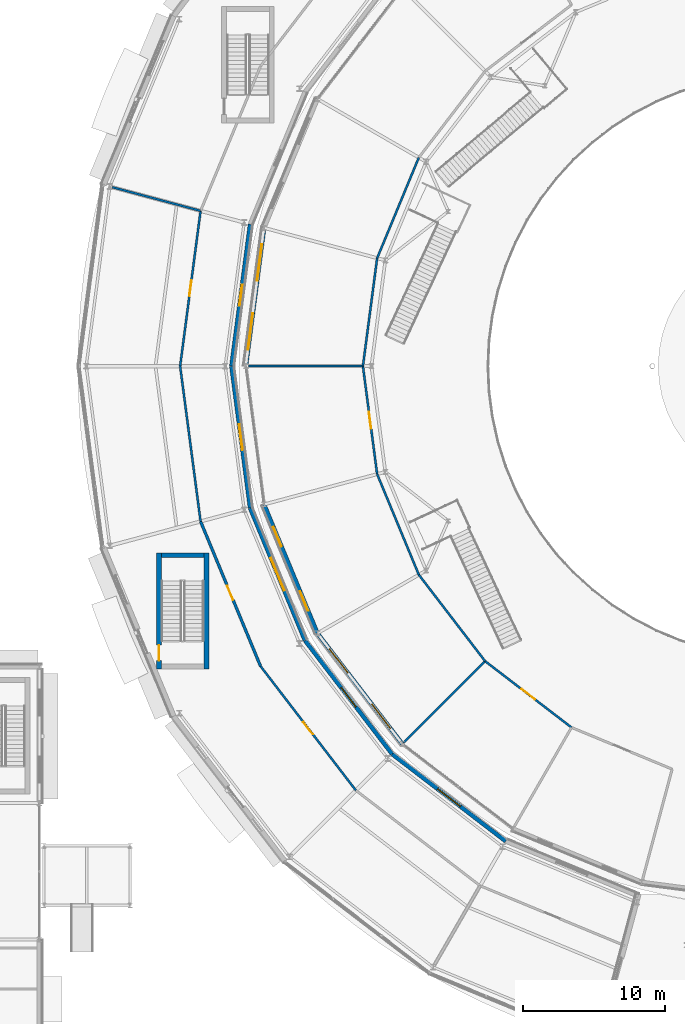
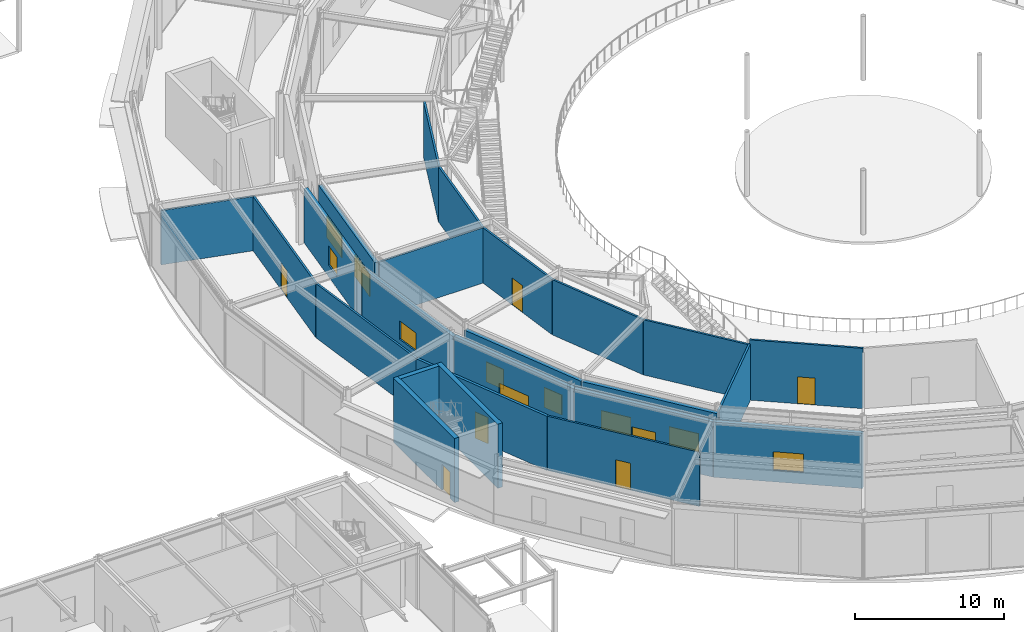
# One storey, part 119 of 168: 24 walls, 11 windows, 6 doors, 17 openings.
"""IFC4 building model written with IfcOpenShell, lengths in metres."""

from ifc_helpers import new_model, si_unit, direction, frame, frame_2d, origin, place, context, subcontext, project, spatial, rectangle, extrude, material, layer, layer_set, type_object, element, fill, save


model = new_model("IFC4")

# Units and contexts
model_context = context("Model", 3, precision=1e-05, world=origin(), true_north=direction((0.0, 1.0)))
body_context = subcontext(model_context, "Body", "Model", "MODEL_VIEW")
ifc_project = project(units=[si_unit("LENGTHUNIT", "METRE"), si_unit("AREAUNIT", "SQUARE_METRE"), si_unit("VOLUMEUNIT", "CUBIC_METRE"), si_unit("PLANEANGLEUNIT", "RADIAN"), si_unit("MASSUNIT", "GRAM", prefix="KILO")], contexts=[model_context])

# Site, building, storey
site_placement = place(None, origin())
site = spatial("IfcSite", under=ifc_project, at=site_placement, CompositionType="ELEMENT")
building_placement = place(site_placement, origin())
building = spatial("IfcBuilding", under=site, at=building_placement, Name="Almandine Court Research Institute", CompositionType="ELEMENT")
storey_placement = place(building_placement, origin())
storey = spatial("IfcBuildingStorey", under=building, at=storey_placement, Name="L00", CompositionType="ELEMENT", Elevation=0.0)

# Wall, opening, window
ifc_material_1 = material(Name="Insulated Ochre Terracotta Rainscreen Wall", Category="masonry")
ifc_layer_1 = layer(ifc_material_1, 0.2900390625)
ifc_layer_set_1 = layer_set([ifc_layer_1], Name="Insulated Ochre Terracotta Rainscreen Wall")
wall_type_1 = type_object("IfcWallType", Name="Wall-EXT-TERR-290", PredefinedType="SOLIDWALL", material=ifc_layer_set_1)
wall_1_placement = place(storey_placement, frame((49.656005859375, 66.0, 0.0), z_axis=(0.0, 0.0, 1.0), x_axis=(-0.130450126879, -0.991454872597, 0.0)))
wall_1 = element("IfcWall", 1, at=wall_1_placement, inside=storey, type_object=wall_type_1, Name="L00 Drum Inner Gallery Wall 11", PredefinedType="SOLIDWALL", context=body_context, shape_type="SweptSolid", body=[
    extrude(rectangle(XDim=10.080078125, YDim=0.2900390625, at=frame_2d((5.0400390625, 0.0))), origin(), (0.0, 0.0, 1.0), 4.43310546875),
])
opening_1_placement = place(wall_1_placement, frame((4.294921875, 0.0, 0.949951171875)))
opening_1 = element("IfcOpeningElement", 2, at=opening_1_placement, cuts=wall_1, Name="Opening WN-38", PredefinedType="OPENING", context=body_context, shape_type="SweptSolid", body=[
    extrude(rectangle(XDim=1.489990234375, YDim=1.590087890625, at=frame_2d((0.7451171875, 0.794921875))), frame((0.0, 0.155029296875, 0.0), z_axis=(0.0, -1.0, 0.0), x_axis=(1.0, 0.0, 0.0)), (0.0, 0.0, 1.0), 0.31005859375),
])
ifc_material_2 = material(Name="Thermally Broken Low-E Double-Glazed Window", Category="glass")
window_type_1 = type_object("IfcWindowType", Name="Win-WN-38-1490x1590", PartitioningType="SINGLE_PANEL", PredefinedType="WINDOW", material=ifc_material_2)
window_1_placement = place(opening_1_placement, origin())
window_1 = element("IfcWindow", 3, at=window_1_placement, inside=storey, type_object=window_type_1, Name="L00 Modular Recessed Low-E Window 230", OverallHeight=1.590087890625, OverallWidth=1.489990234375, PartitioningType="SINGLE_PANEL", PredefinedType="WINDOW", context=body_context, shape_type="SweptSolid", body=[
    extrude(rectangle(XDim=1.489990234375, YDim=1.590087890625, at=frame_2d((0.7451171875, 0.794921875))), frame((0.0, 0.030029296875, 0.0), z_axis=(0.0, -1.0, 0.0), x_axis=(1.0, 0.0, 0.0)), (0.0, 0.0, 1.0), 0.06005859375),
])
fill(opening_1, window_1)

wall_2_placement = place(storey_placement, frame((48.341064453125, 55.993896484375, 0.0), z_axis=(0.0, 0.0, 1.0), x_axis=(0.130450126879, -0.991454872597, 0.0)))
wall_2 = element("IfcWall", 4, at=wall_2_placement, inside=storey, type_object=wall_type_1, Name="L00 Drum Inner Gallery Wall 12", PredefinedType="SOLIDWALL", context=body_context, shape_type="SweptSolid", body=[
    extrude(rectangle(XDim=10.080078125, YDim=0.2900390625, at=frame_2d((5.0400390625, 0.0))), origin(), (0.0, 0.0, 1.0), 4.43310546875),
])
opening_2_placement = place(wall_2_placement, frame((4.1298828125, 0.0, 0.949951171875)))
opening_2 = element("IfcOpeningElement", 5, at=opening_2_placement, cuts=wall_2, Name="Opening WN-39", PredefinedType="OPENING", context=body_context, shape_type="SweptSolid", body=[
    extrude(rectangle(XDim=1.820068359375, YDim=1.510009765625, at=frame_2d((0.91015625, 0.7548828125))), frame((0.0, 0.155029296875, 0.0), z_axis=(0.0, -1.0, 0.0), x_axis=(1.0, 0.0, 0.0)), (0.0, 0.0, 1.0), 0.31005859375),
])
window_type_2 = type_object("IfcWindowType", Name="Win-WN-39-1820x1510", PartitioningType="SINGLE_PANEL", PredefinedType="WINDOW", material=ifc_material_2)
window_2_placement = place(opening_2_placement, origin())
window_2 = element("IfcWindow", 6, at=window_2_placement, inside=storey, type_object=window_type_2, Name="L00 Modular Recessed Low-E Window 231", OverallHeight=1.510009765625, OverallWidth=1.820068359375, PartitioningType="SINGLE_PANEL", PredefinedType="WINDOW", context=body_context, shape_type="SweptSolid", body=[
    extrude(rectangle(XDim=1.820068359375, YDim=1.510009765625, at=frame_2d((0.91015625, 0.7548828125))), frame((0.0, 0.030029296875, 0.0), z_axis=(0.0, -1.0, 0.0), x_axis=(1.0, 0.0, 0.0)), (0.0, 0.0, 1.0), 0.06005859375),
])
fill(opening_2, window_2)

wall_3_placement = place(storey_placement, frame((49.658935546875, 45.988037109375, 0.0), z_axis=(0.0, 0.0, 1.0), x_axis=(0.382733240508, -0.92385889973, 0.0)))
wall_3 = element("IfcWall", 7, at=wall_3_placement, inside=storey, type_object=wall_type_1, Name="L00 Drum Inner Gallery Wall 13", PredefinedType="SOLIDWALL", context=body_context, shape_type="SweptSolid", body=[
    extrude(rectangle(XDim=10.08056640625, YDim=0.2900390625, at=frame_2d((5.040283203125, 0.0))), origin(), (0.0, 0.0, 1.0), 4.51611328125),
])
opening_3_placement = place(wall_3_placement, frame((3.800048828125, 0.0, 0.949951171875)))
opening_3 = element("IfcOpeningElement", 8, at=opening_3_placement, cuts=wall_3, Name="Opening WN-109", PredefinedType="OPENING", context=body_context, shape_type="SweptSolid", body=[
    extrude(rectangle(XDim=2.47998046875, YDim=1.35009765625, at=frame_2d((1.239990234375, 0.675048828125))), frame((0.0, 0.155029296875, 0.0), z_axis=(0.0, -1.0, 0.0), x_axis=(1.0, 0.0, 0.0)), (0.0, 0.0, 1.0), 0.31005859375),
])
window_type_3 = type_object("IfcWindowType", Name="Win-WN-109-2480x1350", PartitioningType="SINGLE_PANEL", PredefinedType="WINDOW", material=ifc_material_2)
window_3_placement = place(opening_3_placement, origin())
window_3 = element("IfcWindow", 9, at=window_3_placement, inside=storey, type_object=window_type_3, Name="L00 Modular Recessed Low-E Window 233", OverallHeight=1.35009765625, OverallWidth=2.47998046875, PartitioningType="SINGLE_PANEL", PredefinedType="WINDOW", context=body_context, shape_type="SweptSolid", body=[
    extrude(rectangle(XDim=2.47998046875, YDim=1.35009765625, at=frame_2d((1.239990234375, 0.675048828125))), frame((0.0, 0.030029296875, 0.0), z_axis=(0.0, -1.0, 0.0), x_axis=(1.0, 0.0, 0.0)), (0.0, 0.0, 1.0), 0.06005859375),
])
fill(opening_3, window_3)

wall_4_placement = place(storey_placement, frame((53.52294921875, 36.6650390625, 0.0), z_axis=(0.0, 0.0, 1.0), x_axis=(0.608737604027, -0.793371621275, 0.0)))
wall_4 = element("IfcWall", 10, at=wall_4_placement, inside=storey, type_object=wall_type_1, Name="L00 Drum Inner Gallery Wall 14", PredefinedType="SOLIDWALL", context=body_context, shape_type="SweptSolid", body=[
    extrude(rectangle(XDim=10.079833984375, YDim=0.2900390625, at=frame_2d((5.0400390625, 0.0))), origin(), (0.0, 0.0, 1.0), 4.51611328125),
])
opening_4_placement = place(wall_4_placement, frame((4.18505859375, 0.0, 0.949951171875)))
opening_4 = element("IfcOpeningElement", 11, at=opening_4_placement, cuts=wall_4, Name="Opening WN-23", PredefinedType="OPENING", context=body_context, shape_type="SweptSolid", body=[
    extrude(rectangle(XDim=1.7099609375, YDim=1.590087890625, at=frame_2d((0.85498046875, 0.794921875))), frame((0.0, 0.155029296875, 0.0), z_axis=(0.0, -1.0, 0.0), x_axis=(1.0, 0.0, 0.0)), (0.0, 0.0, 1.0), 0.31005859375),
])
window_type_4 = type_object("IfcWindowType", Name="Win-WN-23-1710x1590", PartitioningType="SINGLE_PANEL", PredefinedType="WINDOW", material=ifc_material_2)
window_4_placement = place(opening_4_placement, origin())
window_4 = element("IfcWindow", 12, at=window_4_placement, inside=storey, type_object=window_type_4, Name="L00 Modular Recessed Low-E Window 236", OverallHeight=1.590087890625, OverallWidth=1.7099609375, PartitioningType="SINGLE_PANEL", PredefinedType="WINDOW", context=body_context, shape_type="SweptSolid", body=[
    extrude(rectangle(XDim=1.7099609375, YDim=1.590087890625, at=frame_2d((0.85498046875, 0.794921875))), frame((0.0, 0.030029296875, 0.0), z_axis=(0.0, -1.0, 0.0), x_axis=(1.0, 0.0, 0.0)), (0.0, 0.0, 1.0), 0.06005859375),
])
fill(opening_4, window_4)

wall_5_placement = place(storey_placement, frame((59.66796875, 28.658935546875, 0.0), z_axis=(0.0, 0.0, 1.0), x_axis=(0.793371621275, -0.608737604027, 0.0)))
wall_5 = element("IfcWall", 13, at=wall_5_placement, inside=storey, type_object=wall_type_1, Name="L00 Drum Inner Gallery Wall 15", PredefinedType="SOLIDWALL", context=body_context, shape_type="SweptSolid", body=[
    extrude(rectangle(XDim=10.079833984375, YDim=0.2900390625, at=frame_2d((5.0400390625, 0.0))), origin(), (0.0, 0.0, 1.0), 4.51611328125),
])
opening_5_placement = place(wall_5_placement, frame((4.02001953125, 0.0, 0.949951171875)))
opening_5 = element("IfcOpeningElement", 14, at=opening_5_placement, cuts=wall_5, Name="Opening WN-24", PredefinedType="OPENING", context=body_context, shape_type="SweptSolid", body=[
    extrude(rectangle(XDim=2.0400390625, YDim=1.510009765625, at=frame_2d((1.02001953125, 0.7548828125))), frame((0.0, 0.155029296875, 0.0), z_axis=(0.0, -1.0, 0.0), x_axis=(1.0, 0.0, 0.0)), (0.0, 0.0, 1.0), 0.31005859375),
])
window_type_5 = type_object("IfcWindowType", Name="Win-WN-24-2040x1510", PartitioningType="SINGLE_PANEL", PredefinedType="WINDOW", material=ifc_material_2)
window_5_placement = place(opening_5_placement, origin())
window_5 = element("IfcWindow", 15, at=window_5_placement, inside=storey, type_object=window_type_5, Name="L00 Modular Recessed Low-E Window 237", OverallHeight=1.510009765625, OverallWidth=2.0400390625, PartitioningType="SINGLE_PANEL", PredefinedType="WINDOW", context=body_context, shape_type="SweptSolid", body=[
    extrude(rectangle(XDim=2.0400390625, YDim=1.510009765625, at=frame_2d((1.02001953125, 0.7548828125))), frame((0.0, 0.030029296875, 0.0), z_axis=(0.0, -1.0, 0.0), x_axis=(1.0, 0.0, 0.0)), (0.0, 0.0, 1.0), 0.06005859375),
])
fill(opening_5, window_5)

# Wall, openings, windows
wall_6_placement = place(storey_placement, frame((49.35107421875, 56.00390625, 0.0), z_axis=(0.0, 0.0, 1.0), x_axis=(0.130435863969, 0.991456749128, 0.0)))
wall_6 = element("IfcWall", 16, at=wall_6_placement, inside=storey, type_object=wall_type_1, Name="L00 Interaction Atrium Perimeter Wall 11", PredefinedType="SOLIDWALL", context=body_context, shape_type="SweptSolid", body=[
    extrude(rectangle(XDim=9.821044921875, YDim=0.2900390625, at=frame_2d((4.91064453125, 0.0))), origin(), (0.0, 0.0, 1.0), 4.511962890625),
])
opening_6_placement = place(wall_6_placement, frame((1.159912109375, 0.0, 0.949951171875)))
opening_6 = element("IfcOpeningElement", 17, at=opening_6_placement, cuts=wall_6, Name="Opening WN-13", PredefinedType="OPENING", context=body_context, shape_type="SweptSolid", body=[
    extrude(rectangle(XDim=2.590087890625, YDim=1.800048828125, at=frame_2d((1.294921875, 0.89990234375))), frame((0.0, 0.155029296875, 0.0), z_axis=(0.0, -1.0, 0.0), x_axis=(1.0, 0.0, 0.0)), (0.0, 0.0, 1.0), 0.31005859375),
])
opening_7_placement = place(wall_6_placement, frame((6.071044921875, 0.0, 0.949951171875)))
opening_7 = element("IfcOpeningElement", 18, at=opening_7_placement, cuts=wall_6, Name="Opening WN-13", PredefinedType="OPENING", context=body_context, shape_type="SweptSolid", body=[
    extrude(rectangle(XDim=2.590087890625, YDim=1.800048828125, at=frame_2d((1.294921875, 0.89990234375))), frame((0.0, 0.155029296875, 0.0), z_axis=(0.0, -1.0, 0.0), x_axis=(1.0, 0.0, 0.0)), (0.0, 0.0, 1.0), 0.31005859375),
])
window_type_6 = type_object("IfcWindowType", Name="Win-WN-13-2590x1800", PartitioningType="SINGLE_PANEL", PredefinedType="WINDOW", material=ifc_material_2)
window_6_placement = place(opening_6_placement, origin())
window_6 = element("IfcWindow", 19, at=window_6_placement, inside=storey, type_object=window_type_6, Name="L00 Modular Recessed Low-E Window 324", OverallHeight=1.800048828125, OverallWidth=2.590087890625, PartitioningType="SINGLE_PANEL", PredefinedType="WINDOW", context=body_context, shape_type="SweptSolid", body=[
    extrude(rectangle(XDim=2.590087890625, YDim=1.800048828125, at=frame_2d((1.294921875, 0.89990234375))), frame((0.0, 0.030029296875, 0.0), z_axis=(0.0, -1.0, 0.0), x_axis=(1.0, 0.0, 0.0)), (0.0, 0.0, 1.0), 0.06005859375),
])
fill(opening_6, window_6)
window_7_placement = place(opening_7_placement, origin())
window_7 = element("IfcWindow", 20, at=window_7_placement, inside=storey, type_object=window_type_6, Name="L00 Modular Recessed Low-E Window 325", OverallHeight=1.800048828125, OverallWidth=2.590087890625, PartitioningType="SINGLE_PANEL", PredefinedType="WINDOW", context=body_context, shape_type="SweptSolid", body=[
    extrude(rectangle(XDim=2.590087890625, YDim=1.800048828125, at=frame_2d((1.294921875, 0.89990234375))), frame((0.0, 0.030029296875, 0.0), z_axis=(0.0, -1.0, 0.0), x_axis=(1.0, 0.0, 0.0)), (0.0, 0.0, 1.0), 0.06005859375),
])
fill(opening_7, window_7)

wall_7_placement = place(storey_placement, frame((54.39306640625, 37.178955078125, 0.0), z_axis=(0.0, 0.0, 1.0), x_axis=(-0.382759423628, 0.923848052238, 0.0)))
wall_7 = element("IfcWall", 21, at=wall_7_placement, inside=storey, type_object=wall_type_1, Name="L00 Interaction Atrium Perimeter Wall 13", PredefinedType="SOLIDWALL", context=body_context, shape_type="SweptSolid", body=[
    extrude(rectangle(XDim=9.82080078125, YDim=0.2900390625, at=frame_2d((4.910400390625, 0.0))), origin(), (0.0, 0.0, 1.0), 4.511962890625),
])
opening_8_placement = place(wall_7_placement, frame((1.7099609375, 0.0, 0.949951171875)))
opening_8 = element("IfcOpeningElement", 22, at=opening_8_placement, cuts=wall_7, Name="Opening WN-14", PredefinedType="OPENING", context=body_context, shape_type="SweptSolid", body=[
    extrude(rectangle(XDim=1.489990234375, YDim=1.639892578125, at=frame_2d((0.7451171875, 0.81982421875))), frame((0.0, 0.155029296875, 0.0), z_axis=(0.0, -1.0, 0.0), x_axis=(1.0, 0.0, 0.0)), (0.0, 0.0, 1.0), 0.31005859375),
])
opening_9_placement = place(wall_7_placement, frame((6.62109375, 0.0, 0.949951171875)))
opening_9 = element("IfcOpeningElement", 23, at=opening_9_placement, cuts=wall_7, Name="Opening WN-14", PredefinedType="OPENING", context=body_context, shape_type="SweptSolid", body=[
    extrude(rectangle(XDim=1.489990234375, YDim=1.639892578125, at=frame_2d((0.7451171875, 0.81982421875))), frame((0.0, 0.155029296875, 0.0), z_axis=(0.0, -1.0, 0.0), x_axis=(1.0, 0.0, 0.0)), (0.0, 0.0, 1.0), 0.31005859375),
])
window_type_7 = type_object("IfcWindowType", Name="Win-WN-14-1490x1640", PartitioningType="SINGLE_PANEL", PredefinedType="WINDOW", material=ifc_material_2)
window_8_placement = place(opening_8_placement, origin())
window_8 = element("IfcWindow", 24, at=window_8_placement, inside=storey, type_object=window_type_7, Name="L00 Modular Recessed Low-E Window 326", OverallHeight=1.639892578125, OverallWidth=1.489990234375, PartitioningType="SINGLE_PANEL", PredefinedType="WINDOW", context=body_context, shape_type="SweptSolid", body=[
    extrude(rectangle(XDim=1.489990234375, YDim=1.639892578125, at=frame_2d((0.7451171875, 0.81982421875))), frame((0.0, 0.030029296875, 0.0), z_axis=(0.0, -1.0, 0.0), x_axis=(1.0, 0.0, 0.0)), (0.0, 0.0, 1.0), 0.06005859375),
])
fill(opening_8, window_8)
window_9_placement = place(opening_9_placement, origin())
window_9 = element("IfcWindow", 25, at=window_9_placement, inside=storey, type_object=window_type_7, Name="L00 Modular Recessed Low-E Window 327", OverallHeight=1.639892578125, OverallWidth=1.489990234375, PartitioningType="SINGLE_PANEL", PredefinedType="WINDOW", context=body_context, shape_type="SweptSolid", body=[
    extrude(rectangle(XDim=1.489990234375, YDim=1.639892578125, at=frame_2d((0.7451171875, 0.81982421875))), frame((0.0, 0.030029296875, 0.0), z_axis=(0.0, -1.0, 0.0), x_axis=(1.0, 0.0, 0.0)), (0.0, 0.0, 1.0), 0.06005859375),
])
fill(opening_9, window_9)

wall_8_placement = place(storey_placement, frame((60.375, 29.381103515625, 0.0), z_axis=(0.0, 0.0, 1.0), x_axis=(-0.608746738158, 0.793364612762, 0.0)))
wall_8 = element("IfcWall", 26, at=wall_8_placement, inside=storey, type_object=wall_type_1, Name="L00 Interaction Atrium Perimeter Wall 14", PredefinedType="SOLIDWALL", context=body_context, shape_type="SweptSolid", body=[
    extrude(rectangle(XDim=9.8203125, YDim=0.2900390625, at=frame_2d((4.91015625, 0.0))), origin(), (0.0, 0.0, 1.0), 4.511962890625),
])
opening_10_placement = place(wall_8_placement, frame((1.3798828125, 0.0, 0.949951171875)))
opening_10 = element("IfcOpeningElement", 27, at=opening_10_placement, cuts=wall_8, Name="Opening WN-15", PredefinedType="OPENING", context=body_context, shape_type="SweptSolid", body=[
    extrude(rectangle(XDim=2.14990234375, YDim=1.47998046875, at=frame_2d((1.074951171875, 0.739990234375))), frame((0.0, 0.155029296875, 0.0), z_axis=(0.0, -1.0, 0.0), x_axis=(1.0, 0.0, 0.0)), (0.0, 0.0, 1.0), 0.31005859375),
])
opening_11_placement = place(wall_8_placement, frame((6.2900390625, 0.0, 0.949951171875)))
opening_11 = element("IfcOpeningElement", 28, at=opening_11_placement, cuts=wall_8, Name="Opening WN-15", PredefinedType="OPENING", context=body_context, shape_type="SweptSolid", body=[
    extrude(rectangle(XDim=2.14990234375, YDim=1.47998046875, at=frame_2d((1.074951171875, 0.739990234375))), frame((0.0, 0.155029296875, 0.0), z_axis=(0.0, -1.0, 0.0), x_axis=(1.0, 0.0, 0.0)), (0.0, 0.0, 1.0), 0.31005859375),
])
window_type_8 = type_object("IfcWindowType", Name="Win-WN-15-2150x1480", PartitioningType="SINGLE_PANEL", PredefinedType="WINDOW", material=ifc_material_2)
window_10_placement = place(opening_10_placement, origin())
window_10 = element("IfcWindow", 29, at=window_10_placement, inside=storey, type_object=window_type_8, Name="L00 Modular Recessed Low-E Window 328", OverallHeight=1.47998046875, OverallWidth=2.14990234375, PartitioningType="SINGLE_PANEL", PredefinedType="WINDOW", context=body_context, shape_type="SweptSolid", body=[
    extrude(rectangle(XDim=2.14990234375, YDim=1.47998046875, at=frame_2d((1.074951171875, 0.739990234375))), frame((0.0, 0.030029296875, 0.0), z_axis=(0.0, -1.0, 0.0), x_axis=(1.0, 0.0, 0.0)), (0.0, 0.0, 1.0), 0.06005859375),
])
fill(opening_10, window_10)
window_11_placement = place(opening_11_placement, origin())
window_11 = element("IfcWindow", 30, at=window_11_placement, inside=storey, type_object=window_type_8, Name="L00 Modular Recessed Low-E Window 329", OverallHeight=1.47998046875, OverallWidth=2.14990234375, PartitioningType="SINGLE_PANEL", PredefinedType="WINDOW", context=body_context, shape_type="SweptSolid", body=[
    extrude(rectangle(XDim=2.14990234375, YDim=1.47998046875, at=frame_2d((1.074951171875, 0.739990234375))), frame((0.0, 0.030029296875, 0.0), z_axis=(0.0, -1.0, 0.0), x_axis=(1.0, 0.0, 0.0)), (0.0, 0.0, 1.0), 0.06005859375),
])
fill(opening_11, window_11)

# Wall, opening, door
ifc_material_3 = material(Name="Two-Hour Fire-Barrier Enclosure Wall")
ifc_layer_2 = layer(ifc_material_3, 0.199951171875)
ifc_layer_set_2 = layer_set([ifc_layer_2], Name="Two-Hour Fire-Barrier Enclosure Wall")
wall_type_2 = type_object("IfcWallType", Name="Wall-FIRE-200", PredefinedType="SOLIDWALL", material=ifc_layer_set_2)
wall_9_placement = place(storey_placement, frame((46.160888671875, 45.056884765625, 0.0), z_axis=(0.0, 0.0, 1.0), x_axis=(0.382644845446, -0.923895514793, 0.0)))
wall_9 = element("IfcWall", 31, at=wall_9_placement, inside=storey, type_object=wall_type_2, Name="L00 Interior Partition W-V5-L00-CHD-13", PredefinedType="SOLIDWALL", context=body_context, shape_type="SweptSolid", body=[
    extrude(rectangle(XDim=11.03662109375, YDim=0.199951171875, at=frame_2d((5.518310546875, 0.0))), origin(), (0.0, 0.0, 1.0), 4.43798828125),
])
opening_12_placement = place(wall_9_placement, frame((4.89990234375, 0.0, 0.0)))
opening_12 = element("IfcOpeningElement", 32, at=opening_12_placement, cuts=wall_9, Name="Opening FD-FFL", PredefinedType="OPENING", context=body_context, shape_type="SweptSolid", body=[
    extrude(rectangle(XDim=1.10009765625, YDim=2.14990234375, at=frame_2d((0.550048828125, 1.074951171875))), frame((0.0, 0.10986328125, 0.0), z_axis=(0.0, -1.0, 0.0), x_axis=(1.0, 0.0, 0.0)), (0.0, 0.0, 1.0), 0.219970703125),
])
ifc_material_4 = material(Name="Smoke-Tight Firefighting Lobby Fire Door")
door_type_1 = type_object("IfcDoorType", Name="Door-FD-FFL-1100", OperationType="NOTDEFINED", PredefinedType="DOOR", material=ifc_material_4)
door_1_placement = place(opening_12_placement, origin())
door_1 = element("IfcDoor", 33, at=door_1_placement, inside=storey, type_object=door_type_1, Name="L00 ST-17 Protected Exit Lobby Fire Door", OperationType="SINGLE_SWING_LEFT", OverallHeight=2.14990234375, OverallWidth=1.10009765625, PredefinedType="DOOR", context=body_context, shape_type="SweptSolid", body=[
    extrude(rectangle(XDim=1.10009765625, YDim=2.14990234375, at=frame_2d((0.550048828125, 1.074951171875))), frame((0.0, 0.02490234375, 0.0), z_axis=(0.0, -1.0, 0.0), x_axis=(1.0, 0.0, 0.0)), (0.0, 0.0, 1.0), 0.050048828125),
])
fill(opening_12, door_1)

ifc_material_5 = material(Name="Acoustic Steel-Stud Gypsum Partition Wall", Category="steel")
ifc_layer_3 = layer(ifc_material_5, 0.14990234375)
ifc_layer_set_3 = layer_set([ifc_layer_3], Name="Acoustic Steel-Stud Gypsum Partition Wall")
wall_type_3 = type_object("IfcWallType", Name="Wall-PART-150", PredefinedType="PARTITIONING", material=ifc_layer_set_3)
wall_10_placement = place(storey_placement, frame((46.160888671875, 66.943115234375, 0.0), z_axis=(0.0, 0.0, 1.0), x_axis=(-0.130546632054, -0.991442170204, 0.0)))
wall_10 = element("IfcWall", 34, at=wall_10_placement, inside=storey, type_object=wall_type_3, Name="L00 Interior Partition W-V5-L00-CHD-11", PredefinedType="PARTITIONING", context=body_context, shape_type="SweptSolid", body=[
    extrude(rectangle(XDim=11.03759765625, YDim=0.14990234375, at=frame_2d((5.518798828125, 0.0))), origin(), (0.0, 0.0, 1.0), 4.43798828125),
])
opening_13_placement = place(wall_10_placement, frame((4.949951171875, 0.0, 0.0)))
opening_13 = element("IfcOpeningElement", 35, at=opening_13_placement, cuts=wall_10, Name="Opening D-03", PredefinedType="OPENING", context=body_context, shape_type="SweptSolid", body=[
    extrude(rectangle(XDim=1.10009765625, YDim=2.199951171875, at=frame_2d((0.550048828125, 1.10009765625))), frame((0.0, 0.0849609375, 0.0), z_axis=(0.0, -1.0, 0.0), x_axis=(1.0, 0.0, 0.0)), (0.0, 0.0, 1.0), 0.169921875),
])
ifc_material_6 = material(Name="Acoustic Vision-Panel Seminar Door")
door_type_2 = type_object("IfcDoorType", Name="Door-INT-1100", OperationType="NOTDEFINED", PredefinedType="DOOR", material=ifc_material_6)
door_2_placement = place(opening_13_placement, origin())
door_2 = element("IfcDoor", 36, at=door_2_placement, inside=storey, type_object=door_type_2, Name="L00 Drum Computational Research Laboratory Door", OperationType="SINGLE_SWING_RIGHT", OverallHeight=2.199951171875, OverallWidth=1.10009765625, PredefinedType="DOOR", context=body_context, shape_type="SweptSolid", body=[
    extrude(rectangle(XDim=1.10009765625, YDim=2.199951171875, at=frame_2d((0.550048828125, 1.10009765625))), frame((0.0, 0.02490234375, 0.0), z_axis=(0.0, -1.0, 0.0), x_axis=(1.0, 0.0, 0.0)), (0.0, 0.0, 1.0), 0.050048828125),
])
fill(opening_13, door_2)

# Wall
wall_11_placement = place(storey_placement, frame((44.719970703125, 56.0, 0.0), z_axis=(0.0, 0.0, 1.0), x_axis=(0.130546632054, -0.991442170204, 0.0)))
element("IfcWall", 37, at=wall_11_placement, inside=storey, type_object=wall_type_3, Name="L00 Interior Partition W-V5-L00-CHD-12", PredefinedType="PARTITIONING", context=body_context, shape_type="SweptSolid", body=[
    extrude(rectangle(XDim=11.03759765625, YDim=0.14990234375, at=frame_2d((5.518798828125, 0.0))), origin(), (0.0, 0.0, 1.0), 4.43798828125),
])

# Wall, opening, door
wall_12_placement = place(storey_placement, frame((50.384033203125, 34.860107421875, 0.0), z_axis=(0.0, 0.0, 1.0), x_axis=(0.608828497024, -0.793301872689, 0.0)))
wall_12 = element("IfcWall", 38, at=wall_12_placement, inside=storey, type_object=wall_type_3, Name="L00 Interior Partition W-V5-L00-CHD-14", PredefinedType="PARTITIONING", context=body_context, shape_type="SweptSolid", body=[
    extrude(rectangle(XDim=11.03759765625, YDim=0.14990234375, at=frame_2d((5.518798828125, 0.0))), origin(), (0.0, 0.0, 1.0), 4.43798828125),
])
opening_14_placement = place(wall_12_placement, frame((4.949951171875, 0.0, 0.0)))
opening_14 = element("IfcOpeningElement", 39, at=opening_14_placement, cuts=wall_12, Name="Opening D-03", PredefinedType="OPENING", context=body_context, shape_type="SweptSolid", body=[
    extrude(rectangle(XDim=1.10009765625, YDim=2.199951171875, at=frame_2d((0.550048828125, 1.10009765625))), frame((0.0, 0.0849609375, 0.0), z_axis=(0.0, -1.0, 0.0), x_axis=(1.0, 0.0, 0.0)), (0.0, 0.0, 1.0), 0.169921875),
])
door_3_placement = place(opening_14_placement, origin())
door_3 = element("IfcDoor", 40, at=door_3_placement, inside=storey, type_object=door_type_2, Name="L00 Drum Calibration Suite Door", OperationType="SINGLE_SWING_RIGHT", OverallHeight=2.199951171875, OverallWidth=1.10009765625, PredefinedType="DOOR", context=body_context, shape_type="SweptSolid", body=[
    extrude(rectangle(XDim=1.10009765625, YDim=2.199951171875, at=frame_2d((0.550048828125, 1.10009765625))), frame((0.0, 0.02490234375, 0.0), z_axis=(0.0, -1.0, 0.0), x_axis=(1.0, 0.0, 0.0)), (0.0, 0.0, 1.0), 0.050048828125),
])
fill(opening_14, door_3)

# Walls
wall_13_placement = place(storey_placement, frame((46.160888671875, 66.943115234375, 0.0), z_axis=(0.0, 0.0, 1.0), x_axis=(-0.965922162166, 0.258832719409, 0.0)))
element("IfcWall", 41, at=wall_13_placement, inside=storey, type_object=wall_type_3, Name="L00 Interior Partition W-V5-L00-RAD-11", PredefinedType="PARTITIONING", context=body_context, shape_type="SweptSolid", body=[
    extrude(rectangle(XDim=6.4404296875, YDim=0.14990234375, at=frame_2d((3.22021484375, 0.0))), origin(), (0.0, 0.0, 1.0), 4.43798828125),
])
wall_14_placement = place(storey_placement, frame((61.5390625, 70.699951171875, 0.0), z_axis=(0.0, 0.0, 1.0), x_axis=(-0.382660818016, -0.923888899357, 0.0)))
element("IfcWall", 42, at=wall_14_placement, inside=storey, type_object=wall_type_3, Name="L00 Interior Partition W-V2-L00-CHD-10", PredefinedType="PARTITIONING", context=body_context, shape_type="SweptSolid", body=[
    extrude(rectangle(XDim=7.67529296875, YDim=0.14990234375, at=frame_2d((3.837646484375, 0.0))), origin(), (0.0, 0.0, 1.0), 4.51708984375),
])
wall_15_placement = place(storey_placement, frame((58.60205078125, 63.60888671875, 0.0), z_axis=(0.0, 0.0, 1.0), x_axis=(-0.130554905837, -0.991441080731, 0.0)))
element("IfcWall", 43, at=wall_15_placement, inside=storey, type_object=wall_type_3, Name="L00 Interior Partition W-V2-L00-CHD-11", PredefinedType="PARTITIONING", context=body_context, shape_type="SweptSolid", body=[
    extrude(rectangle(XDim=7.674560546875, YDim=0.14990234375, at=frame_2d((3.83740234375, 0.0))), origin(), (0.0, 0.0, 1.0), 4.51708984375),
])

# Wall, opening, door
wall_16_placement = place(storey_placement, frame((57.60009765625, 56.0, 0.0), z_axis=(0.0, 0.0, 1.0), x_axis=(0.130554905837, -0.991441080731, 0.0)))
wall_16 = element("IfcWall", 44, at=wall_16_placement, inside=storey, type_object=wall_type_3, Name="L00 Interior Partition W-V2-L00-CHD-12", PredefinedType="PARTITIONING", context=body_context, shape_type="SweptSolid", body=[
    extrude(rectangle(XDim=7.674560546875, YDim=0.14990234375, at=frame_2d((3.83740234375, 0.0))), origin(), (0.0, 0.0, 1.0), 4.51708984375),
])
opening_15_placement = place(wall_16_placement, frame((3.237060546875, 0.0, 0.0)))
opening_15 = element("IfcOpeningElement", 45, at=opening_15_placement, cuts=wall_16, Name="Opening D-04", PredefinedType="OPENING", context=body_context, shape_type="SweptSolid", body=[
    extrude(rectangle(XDim=1.199951171875, YDim=2.199951171875, at=frame_2d((0.60009765625, 1.10009765625))), frame((0.0, 0.0849609375, 0.0), z_axis=(0.0, -1.0, 0.0), x_axis=(1.0, 0.0, 0.0)), (0.0, 0.0, 1.0), 0.169921875),
])
ifc_material_7 = material(Name="Wide Acoustic Laboratory Suite Door")
door_type_3 = type_object("IfcDoorType", Name="Door-INT-1200", OperationType="NOTDEFINED", PredefinedType="DOOR", material=ifc_material_7)
door_4_placement = place(opening_15_placement, origin())
door_4 = element("IfcDoor", 46, at=door_4_placement, inside=storey, type_object=door_type_3, Name="L00 Atrium Academic Lounge Door", OperationType="SINGLE_SWING_LEFT", OverallHeight=2.199951171875, OverallWidth=1.199951171875, PredefinedType="DOOR", context=body_context, shape_type="SweptSolid", body=[
    extrude(rectangle(XDim=1.199951171875, YDim=2.199951171875, at=frame_2d((0.60009765625, 1.10009765625))), frame((0.0, 0.02490234375, 0.0), z_axis=(0.0, -1.0, 0.0), x_axis=(1.0, 0.0, 0.0)), (0.0, 0.0, 1.0), 0.050048828125),
])
fill(opening_15, door_4)

# Walls
wall_17_placement = place(storey_placement, frame((58.60205078125, 48.39111328125, 0.0), z_axis=(0.0, 0.0, 1.0), x_axis=(0.382660818016, -0.923888899357, 0.0)))
element("IfcWall", 47, at=wall_17_placement, inside=storey, type_object=wall_type_3, Name="L00 Interior Partition W-V2-L00-CHD-13", PredefinedType="PARTITIONING", context=body_context, shape_type="SweptSolid", body=[
    extrude(rectangle(XDim=7.67529296875, YDim=0.14990234375, at=frame_2d((3.837646484375, 0.0))), origin(), (0.0, 0.0, 1.0), 4.51708984375),
])
wall_18_placement = place(storey_placement, frame((61.5390625, 41.300048828125, 0.0), z_axis=(0.0, 0.0, 1.0), x_axis=(0.60872333878, -0.793382566499, 0.0)))
element("IfcWall", 48, at=wall_18_placement, inside=storey, type_object=wall_type_3, Name="L00 Interior Partition W-V2-L00-CHD-14", PredefinedType="PARTITIONING", context=body_context, shape_type="SweptSolid", body=[
    extrude(rectangle(XDim=7.6748046875, YDim=0.14990234375, at=frame_2d((3.83740234375, 0.0))), origin(), (0.0, 0.0, 1.0), 4.51708984375),
])

# Wall, opening, door
wall_19_placement = place(storey_placement, frame((66.2109375, 35.2109375, 0.0), z_axis=(0.0, 0.0, 1.0), x_axis=(0.793382566499, -0.60872333878, 0.0)))
wall_19 = element("IfcWall", 49, at=wall_19_placement, inside=storey, type_object=wall_type_3, Name="L00 Interior Partition W-V2-L00-CHD-15", PredefinedType="PARTITIONING", context=body_context, shape_type="SweptSolid", body=[
    extrude(rectangle(XDim=7.6748046875, YDim=0.14990234375, at=frame_2d((3.83740234375, 0.0))), origin(), (0.0, 0.0, 1.0), 4.929931640625),
])
opening_16_placement = place(wall_19_placement, frame((3.237060546875, 0.0, 0.0)))
opening_16 = element("IfcOpeningElement", 50, at=opening_16_placement, cuts=wall_19, Name="Opening D-04", PredefinedType="OPENING", context=body_context, shape_type="SweptSolid", body=[
    extrude(rectangle(XDim=1.199951171875, YDim=2.199951171875, at=frame_2d((0.60009765625, 1.10009765625))), frame((0.0, 0.0849609375, 0.0), z_axis=(0.0, -1.0, 0.0), x_axis=(1.0, 0.0, 0.0)), (0.0, 0.0, 1.0), 0.169921875),
])
door_5_placement = place(opening_16_placement, origin())
door_5 = element("IfcDoor", 51, at=door_5_placement, inside=storey, type_object=door_type_3, Name="L00 Atrium Kitchen Door", OperationType="SINGLE_SWING_RIGHT", OverallHeight=2.199951171875, OverallWidth=1.199951171875, PredefinedType="DOOR", context=body_context, shape_type="SweptSolid", body=[
    extrude(rectangle(XDim=1.199951171875, YDim=2.199951171875, at=frame_2d((0.60009765625, 1.10009765625))), frame((0.0, 0.02490234375, 0.0), z_axis=(0.0, -1.0, 0.0), x_axis=(1.0, 0.0, 0.0)), (0.0, 0.0, 1.0), 0.050048828125),
])
fill(opening_16, door_5)

# Walls
wall_20_placement = place(storey_placement, frame((57.60009765625, 56.0, 0.0), z_axis=(0.0, 0.0, 1.0), x_axis=(-1.0, 0.0, 0.0)))
element("IfcWall", 52, at=wall_20_placement, inside=storey, type_object=wall_type_3, Name="L00 Interior Partition W-V2-L00-RAD-12", PredefinedType="PARTITIONING", context=body_context, shape_type="SweptSolid", body=[
    extrude(rectangle(XDim=8.080078125, YDim=0.14990234375, at=frame_2d((4.0400390625, 0.0))), origin(), (0.0, 0.0, 1.0), 4.51708984375),
])
wall_21_placement = place(storey_placement, frame((66.2109375, 35.2109375, 0.0), z_axis=(0.0, 0.0, 1.0), x_axis=(-0.707106781187, -0.707106781187, 0.0)))
element("IfcWall", 53, at=wall_21_placement, inside=storey, type_object=wall_type_3, Name="L00 Interior Partition W-V2-L00-RAD-15", PredefinedType="PARTITIONING", context=body_context, shape_type="SweptSolid", body=[
    extrude(rectangle(XDim=8.079345703125, YDim=0.14990234375, at=frame_2d((4.03955078125, 0.0))), origin(), (0.0, 0.0, 1.0), 4.597900390625),
])

# Wall, opening, door
ifc_material_8 = material(Name="Concrete C40/50", Category="concrete")
ifc_layer_4 = layer(ifc_material_8, 0.35009765625)
ifc_layer_set_4 = layer_set([ifc_layer_4], Name="Concrete C40/50")
wall_type_4 = type_object("IfcWallType", Name="Wall-SW-CORE-350", PredefinedType="SHEAR", material=ifc_layer_set_4)
wall_22_placement = place(storey_placement, frame((43.22509765625, 34.64990234375, 0.0), z_axis=(0.0, 0.0, 1.0), x_axis=(0.0, 1.0, 0.0)))
wall_22 = element("IfcWall", 54, at=wall_22_placement, inside=storey, type_object=wall_type_4, Name="L00 ST-17 W Shear Wall", PredefinedType="SHEAR", context=body_context, shape_type="SweptSolid", body=[
    extrude(rectangle(XDim=8.2001953125, YDim=0.35009765625, at=frame_2d((4.10009765625, 0.0))), origin(), (0.0, 0.0, 1.0), 5.25),
])
opening_17_placement = place(wall_22_placement, frame((0.60009765625, 0.0, 0.0)))
opening_17 = element("IfcOpeningElement", 55, at=opening_17_placement, cuts=wall_22, Name="Opening FD-STAIR", PredefinedType="OPENING", context=body_context, shape_type="SweptSolid", body=[
    extrude(rectangle(XDim=1.10009765625, YDim=2.14990234375, at=frame_2d((0.550048828125, 1.074951171875))), frame((0.0, 0.18505859375, 0.0), z_axis=(0.0, -1.0, 0.0), x_axis=(1.0, 0.0, 0.0)), (0.0, 0.0, 1.0), 0.3701171875),
])
ifc_material_9 = material(Name="Self-Closing Steel Exit Stair Fire Door", Category="steel")
door_type_4 = type_object("IfcDoorType", Name="Door-FD-STAIR-1100", OperationType="NOTDEFINED", PredefinedType="DOOR", material=ifc_material_9)
door_6_placement = place(opening_17_placement, origin())
door_6 = element("IfcDoor", 56, at=door_6_placement, inside=storey, type_object=door_type_4, Name="L00 Exit Stair ST-17 Fire Door", OperationType="SINGLE_SWING_RIGHT", OverallHeight=2.14990234375, OverallWidth=1.10009765625, PredefinedType="DOOR", context=body_context, shape_type="SweptSolid", body=[
    extrude(rectangle(XDim=1.10009765625, YDim=2.14990234375, at=frame_2d((0.550048828125, 1.074951171875))), frame((0.0, 0.02490234375, 0.0), z_axis=(0.0, -1.0, 0.0), x_axis=(1.0, 0.0, 0.0)), (0.0, 0.0, 1.0), 0.050048828125),
])
fill(opening_17, door_6)

# Walls
wall_23_placement = place(storey_placement, frame((43.39990234375, 42.675048828125, 0.0), z_axis=(0.0, 0.0, 1.0), x_axis=(1.0, 0.0, 0.0)))
element("IfcWall", 57, at=wall_23_placement, inside=storey, type_object=wall_type_4, Name="L00 ST-17 N Shear Wall", PredefinedType="SHEAR", context=body_context, shape_type="SweptSolid", body=[
    extrude(rectangle(XDim=3.0, YDim=0.35009765625, at=frame_2d((1.5, 0.0))), origin(), (0.0, 0.0, 1.0), 5.25),
])
wall_24_placement = place(storey_placement, frame((46.574951171875, 42.85009765625, 0.0), z_axis=(0.0, 0.0, 1.0), x_axis=(0.0, -1.0, 0.0)))
element("IfcWall", 58, at=wall_24_placement, inside=storey, type_object=wall_type_4, Name="L00 ST-17 E Shear Wall", PredefinedType="SHEAR", context=body_context, shape_type="SweptSolid", body=[
    extrude(rectangle(XDim=8.2001953125, YDim=0.35009765625, at=frame_2d((4.10009765625, 0.0))), origin(), (0.0, 0.0, 1.0), 5.25),
])

save(model, "model.ifc")
